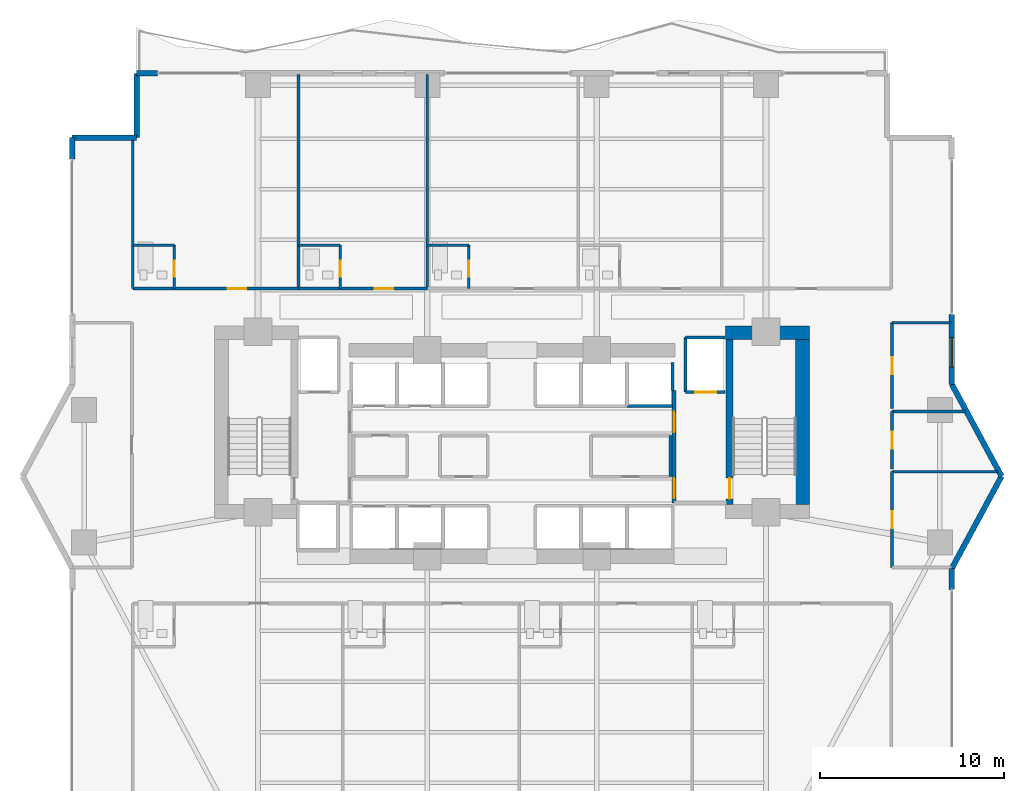
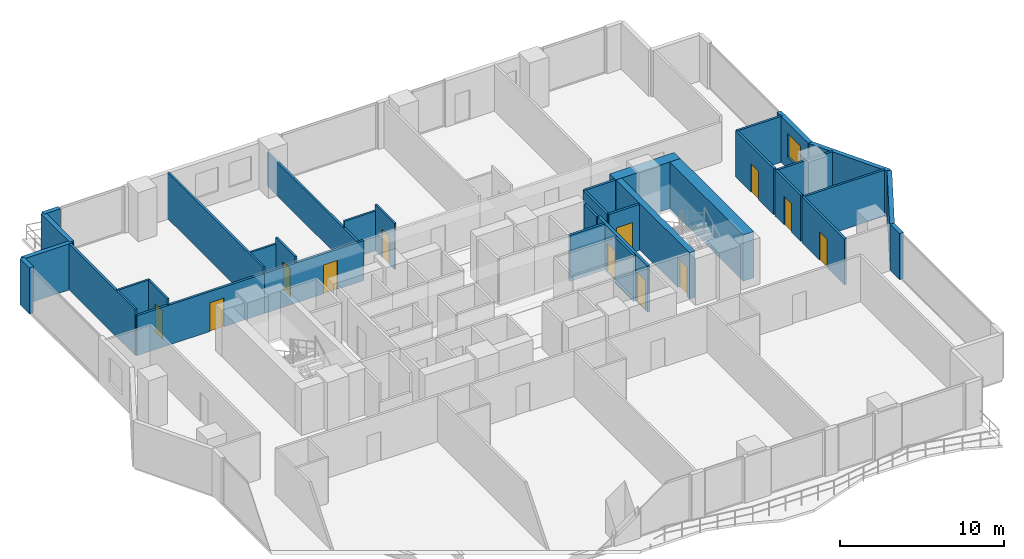
# One storey, part 22 of 27: 35 walls, 12 doors, 1 window, 13 openings.
"""IFC4 building model written with IfcOpenShell, lengths in metres."""

from ifc_helpers import new_model, si_unit, direction, frame, frame_2d, origin, place, context, subcontext, project, spatial, rectangle, extrude, material, layer, layer_set, type_object, element, fill, save


model = new_model("IFC4")

# Units and contexts
model_context = context("Model", 3, precision=1e-05, world=origin(), true_north=direction((0.0, 1.0)))
body_context = subcontext(model_context, "Body", "Model", "MODEL_VIEW")
ifc_project = project(units=[si_unit("LENGTHUNIT", "METRE"), si_unit("AREAUNIT", "SQUARE_METRE"), si_unit("VOLUMEUNIT", "CUBIC_METRE"), si_unit("PLANEANGLEUNIT", "RADIAN"), si_unit("MASSUNIT", "GRAM", prefix="KILO")], contexts=[model_context])

# Site, building, storey
site_placement = place(None, origin())
site = spatial("IfcSite", under=ifc_project, at=site_placement, CompositionType="ELEMENT")
building_placement = place(site_placement, origin())
building = spatial("IfcBuilding", under=site, at=building_placement, Name="Zuhayl Quay Hotel", CompositionType="ELEMENT")
storey_placement = place(building_placement, frame((0.0, 0.0, 117.550048828125)))
storey = spatial("IfcBuildingStorey", under=building, at=storey_placement, Name="L29", CompositionType="ELEMENT", Elevation=117.550048828125)

# Walls
ifc_material_1 = material(Name="Concrete C60/75", Category="concrete")
ifc_layer_1 = layer(ifc_material_1, 0.75, Name="Concrete C60/75", Category="concrete")
ifc_layer_set_1 = layer_set([ifc_layer_1], Name="Concrete C60/75")
wall_type_1 = type_object("IfcWallType", Name="WL_CORE_750", PredefinedType="SHEAR", material=ifc_layer_set_1)
wall_1_placement = place(storey_placement, frame((11.60009765625, 14.304931640625, 0.0), z_axis=(0.0, 0.0, 1.0), x_axis=(1.0, 0.0, 0.0)))
element("IfcWall", 1, at=wall_1_placement, inside=storey, type_object=wall_type_1, Name="L29 Core Shear Wall CW_NE", PredefinedType="SHEAR", context=body_context, shape_type="SweptSolid", body=[
    extrude(rectangle(XDim=4.559814453125, YDim=0.75, at=frame_2d((2.27978515625, 0.0))), origin(), (0.0, 0.0, 1.0), 3.4599609375),
])
wall_2_placement = place(storey_placement, frame((15.784912109375, 4.969970703125, 0.0), z_axis=(0.0, 0.0, 1.0), x_axis=(0.0, 1.0, 0.0)))
element("IfcWall", 2, at=wall_2_placement, inside=storey, type_object=wall_type_1, Name="L29 Core Shear Wall CW_E", PredefinedType="SHEAR", context=body_context, shape_type="SweptSolid", body=[
    extrude(rectangle(XDim=8.9599609375, YDim=0.75, at=frame_2d((4.47998046875, 0.0))), origin(), (0.0, 0.0, 1.0), 3.4599609375),
])
ifc_material_2 = material(Name="Precast concrete C45/55", Category="concrete")
ifc_layer_2 = layer(ifc_material_2, 0.300048828125, Name="Precast concrete C45/55", Category="concrete")
ifc_layer_set_2 = layer_set([ifc_layer_2], Name="Precast concrete C45/55")
wall_type_2 = type_object("IfcWallType", Name="WL_EXT_300", PredefinedType="STANDARD", material=ifc_layer_set_2)
wall_3_placement = place(storey_placement, frame((-23.89990234375, 23.75, 0.0), z_axis=(0.0, 0.0, 1.0), x_axis=(0.0, 1.0, 0.0)))
element("IfcWall", 3, at=wall_3_placement, inside=storey, type_object=wall_type_2, Name="L29 Exterior Precast Wall ENV_L29_E05_EW2", PredefinedType="STANDARD", context=body_context, shape_type="SweptSolid", body=[
    extrude(rectangle(XDim=1.14990234375, YDim=0.300048828125, at=frame_2d((0.574951171875, 0.0))), origin(), (0.0, 0.0, 1.0), 3.429931640625),
])
for number, where, z_axis, x_axis, name in (
    (4, (-23.89990234375, 24.89990234375, 0.0), (0.0, 0.0, 1.0), (1.0, 0.0, 0.0), "L29 Exterior Precast Wall ENV_L29_EW06"),
    (5, (-20.39990234375, 24.89990234375, 0.0), (0.0, 0.0, 1.0), (0.0, 1.0, 0.0), "L29 Exterior Precast Wall ENV_L29_EW07"),
):
    element("IfcWall", number, at=place(storey_placement, frame(where, z_axis=z_axis, x_axis=x_axis)), inside=storey, type_object=wall_type_2, Name=name, PredefinedType="STANDARD", context=body_context, shape_type="SweptSolid", body=[
        extrude(rectangle(XDim=3.5, YDim=0.300048828125, at=frame_2d((1.75, 0.0))), origin(), (0.0, 0.0, 1.0), 3.429931640625),
    ])
wall_4_placement = place(storey_placement, frame((-20.39990234375, 28.39990234375, 0.0), z_axis=(0.0, 0.0, 1.0), x_axis=(1.0, 0.0, 0.0)))
element("IfcWall", 6, at=wall_4_placement, inside=storey, type_object=wall_type_2, Name="L29 Exterior Precast Wall ENV_L29_N_EW1", PredefinedType="STANDARD", context=body_context, shape_type="SweptSolid", body=[
    extrude(rectangle(XDim=1.14990234375, YDim=0.300048828125, at=frame_2d((0.574951171875, 0.0))), origin(), (0.0, 0.0, 1.0), 3.429931640625),
])

# Wall, opening, window
wall_5_placement = place(storey_placement, frame((23.89990234375, 15.300048828125, 0.0), z_axis=(0.0, 0.0, 1.0), x_axis=(0.0, -1.0, 0.0)))
wall_5 = element("IfcWall", 7, at=wall_5_placement, inside=storey, type_object=wall_type_2, Name="L29 Exterior Precast Wall ENV_L29_E11_EW2", PredefinedType="STANDARD", context=body_context, shape_type="SweptSolid", body=[
    extrude(rectangle(XDim=3.800048828125, YDim=0.300048828125, at=frame_2d((1.89990234375, 0.0))), origin(), (0.0, 0.0, 1.0), 3.429931640625),
])
opening_1_placement = place(wall_5_placement, frame((1.264892578125, 0.0, 0.85009765625)))
opening_1 = element("IfcOpeningElement", 8, at=opening_1_placement, cuts=wall_5, Name="Opening W01", PredefinedType="OPENING", context=body_context, shape_type="SweptSolid", body=[
    extrude(rectangle(XDim=1.60009765625, YDim=1.800048828125, at=frame_2d((0.800048828125, 0.89990234375))), frame((0.0, 0.159912109375, 0.0), z_axis=(0.0, -1.0, 0.0), x_axis=(1.0, 0.0, 0.0)), (0.0, 0.0, 1.0), 0.320068359375),
])
ifc_material_3 = material(Name="Dark Ceramic-Fritted Solar Glass", Category="glass")
window_type = type_object("IfcWindowType", Name="WN_OPERABLE_1600", PartitioningType="DOUBLE_PANEL_VERTICAL", PredefinedType="WINDOW", material=ifc_material_3)
window_placement = place(opening_1_placement, origin())
window = element("IfcWindow", 9, at=window_placement, inside=storey, type_object=window_type, Name="L29 Operable Facade Window 2-1", OverallHeight=1.800048828125, OverallWidth=1.60009765625, PartitioningType="SINGLE_PANEL", PredefinedType="WINDOW", context=body_context, shape_type="SweptSolid", body=[
    extrude(rectangle(XDim=1.60009765625, YDim=1.800048828125, at=frame_2d((0.800048828125, 0.89990234375))), frame((0.0, 0.030029296875, 0.0), z_axis=(0.0, -1.0, 0.0), x_axis=(1.0, 0.0, 0.0)), (0.0, 0.0, 1.0), 0.06005859375),
])
fill(opening_1, window)

# Walls
for number, where, z_axis, x_axis, name in (
    (10, (23.89990234375, 11.5, 0.0), (0.0, 0.0, 1.0), (0.475175525499, -0.879891027325, 0.0), "L29 Exterior Precast Wall ENV_L29_EW12"),
    (11, (26.60009765625, 6.5, 0.0), (0.0, 0.0, 1.0), (-0.475175525499, -0.879891027325, 0.0), "L29 Exterior Precast Wall ENV_L29_EW13"),
):
    element("IfcWall", number, at=place(storey_placement, frame(where, z_axis=z_axis, x_axis=x_axis)), inside=storey, type_object=wall_type_2, Name=name, PredefinedType="STANDARD", context=body_context, shape_type="SweptSolid", body=[
        extrude(rectangle(XDim=5.6826171875, YDim=0.300048828125, at=frame_2d((2.84130859375, 0.0))), origin(), (0.0, 0.0, 1.0), 3.429931640625),
    ])
wall_6_placement = place(storey_placement, frame((23.89990234375, 1.5, 0.0), z_axis=(0.0, 0.0, 1.0), x_axis=(0.0, -1.0, 0.0)))
element("IfcWall", 12, at=wall_6_placement, inside=storey, type_object=wall_type_2, Name="L29 Exterior Precast Wall ENV_L29_E14_EW1", PredefinedType="STANDARD", context=body_context, shape_type="SweptSolid", body=[
    extrude(rectangle(XDim=1.14990234375, YDim=0.300048828125, at=frame_2d((0.574951171875, 0.0))), origin(), (0.0, 0.0, 1.0), 3.429931640625),
])
ifc_material_4 = material(Name="Acoustic Gypsum Partition STC-58")
ifc_layer_3 = layer(ifc_material_4, 0.14990234375, Name="Acoustic Gypsum Partition STC-58")
ifc_layer_set_3 = layer_set([ifc_layer_3], Name="Acoustic Gypsum Partition STC-58")
wall_type_3 = type_object("IfcWallType", Name="WL_PART_150", PredefinedType="PARTITIONING", material=ifc_layer_set_3)
wall_7_placement = place(storey_placement, frame((8.610107421875, 6.47998046875, 0.0), z_axis=(0.0, 0.0, 1.0), x_axis=(0.0, 1.0, 0.0)))
element("IfcWall", 13, at=wall_7_placement, inside=storey, type_object=wall_type_3, Name="L29 Partition IW_L29_CORE_VL_E", PredefinedType="PARTITIONING", context=body_context, shape_type="SweptSolid", body=[
    extrude(rectangle(XDim=2.239990234375, YDim=0.14990234375, at=frame_2d((1.1201171875, 0.0))), origin(), (0.0, 0.0, 1.0), 3.429931640625),
])
wall_8_placement = place(storey_placement, frame((-20.60009765625, 16.699951171875, 0.0), z_axis=(0.0, 0.0, 1.0), x_axis=(0.0, 1.0, 0.0)))
element("IfcWall", 14, at=wall_8_placement, inside=storey, type_object=wall_type_3, Name="L29 Partition IW_L29_NU01_W", PredefinedType="PARTITIONING", context=body_context, shape_type="SweptSolid", body=[
    extrude(rectangle(XDim=8.199951171875, YDim=0.14990234375, at=frame_2d((4.10009765625, 0.0))), origin(), (0.0, 0.0, 1.0), 3.429931640625),
])
wall_9_placement = place(storey_placement, frame((-11.60009765625, 16.699951171875, 0.0), z_axis=(0.0, 0.0, 1.0), x_axis=(0.0, 1.0, 0.0)))
element("IfcWall", 15, at=wall_9_placement, inside=storey, type_object=wall_type_3, Name="L29 Partition IW_L29_NU01_E", PredefinedType="PARTITIONING", context=body_context, shape_type="SweptSolid", body=[
    extrude(rectangle(XDim=11.6201171875, YDim=0.14990234375, at=frame_2d((5.81005859375, 0.0))), origin(), (0.0, 0.0, 1.0), 3.429931640625),
])
wall_10_placement = place(storey_placement, frame((-4.60009765625, 16.699951171875, 0.0), z_axis=(0.0, 0.0, 1.0), x_axis=(0.0, 1.0, 0.0)))
element("IfcWall", 16, at=wall_10_placement, inside=storey, type_object=wall_type_3, Name="L29 Partition IW_L29_NU02_E", PredefinedType="PARTITIONING", context=body_context, shape_type="SweptSolid", body=[
    extrude(rectangle(XDim=11.6201171875, YDim=0.14990234375, at=frame_2d((5.81005859375, 0.0))), origin(), (0.0, 0.0, 1.0), 2.5029296875),
])
wall_11_placement = place(storey_placement, frame((20.64990234375, 6.75, 0.0), z_axis=(0.0, 0.0, 1.0), x_axis=(1.0, 0.0, 0.0)))
element("IfcWall", 17, at=wall_11_placement, inside=storey, type_object=wall_type_3, Name="L29 Partition IW_L29_HK_MAIN_N", PredefinedType="PARTITIONING", context=body_context, shape_type="SweptSolid", body=[
    extrude(rectangle(XDim=5.755126953125, YDim=0.14990234375, at=frame_2d((2.87744140625, 0.0))), origin(), (0.0, 0.0, 1.0), 3.429931640625),
])
wall_12_placement = place(storey_placement, frame((20.64990234375, 10.02001953125, 0.0), z_axis=(0.0, 0.0, 1.0), x_axis=(1.0, 0.0, 0.0)))
element("IfcWall", 18, at=wall_12_placement, inside=storey, type_object=wall_type_3, Name="L29 Partition IW_L29_EFLK_2_N", PredefinedType="PARTITIONING", context=body_context, shape_type="SweptSolid", body=[
    extrude(rectangle(XDim=3.9892578125, YDim=0.14990234375, at=frame_2d((1.99462890625, 0.0))), origin(), (0.0, 0.0, 1.0), 3.429931640625),
])
wall_13_placement = place(storey_placement, frame((20.64990234375, 14.85009765625, 0.0), z_axis=(0.0, 0.0, 1.0), x_axis=(1.0, 0.0, 0.0)))
element("IfcWall", 19, at=wall_13_placement, inside=storey, type_object=wall_type_3, Name="L29 Partition IW_L29_EFLK_3_N", PredefinedType="PARTITIONING", context=body_context, shape_type="SweptSolid", body=[
    extrude(rectangle(XDim=3.190185546875, YDim=0.14990234375, at=frame_2d((1.59521484375, 0.0))), origin(), (0.0, 0.0, 1.0), 3.429931640625),
])

# Wall, opening, door
ifc_layer_4 = layer(ifc_material_4, 0.159912109375, Name="Acoustic Gypsum Partition STC-58")
ifc_layer_set_4 = layer_set([ifc_layer_4], Name="Acoustic Gypsum Partition STC-58")
wall_type_4 = type_object("IfcWallType", Name="WL_PART_CORR_160", PredefinedType="PARTITIONING", material=ifc_layer_set_4)
wall_14_placement = place(storey_placement, frame((-20.60009765625, 16.699951171875, 0.0), z_axis=(0.0, 0.0, 1.0), x_axis=(1.0, 0.0, 0.0)))
wall_14 = element("IfcWall", 20, at=wall_14_placement, inside=storey, type_object=wall_type_4, Name="L29 Partition IW_L29_NU01_COR", PredefinedType="PARTITIONING", context=body_context, shape_type="SweptSolid", body=[
    extrude(rectangle(XDim=9.0, YDim=0.159912109375, at=frame_2d((4.5, 0.0))), origin(), (0.0, 0.0, 1.0), 2.972900390625),
])
opening_2_placement = place(wall_14_placement, frame((5.14990234375, 0.0, 0.0)))
opening_2 = element("IfcOpeningElement", 21, at=opening_2_placement, cuts=wall_14, Name="Opening D03L", PredefinedType="OPENING", context=body_context, shape_type="SweptSolid", body=[
    extrude(rectangle(XDim=1.0, YDim=2.14990234375, at=frame_2d((0.5, 1.074951171875))), frame((0.0, 0.08984375, 0.0), z_axis=(0.0, -1.0, 0.0), x_axis=(1.0, 0.0, 0.0)), (0.0, 0.0, 1.0), 0.179931640625),
])
ifc_material_5 = material(Name="Solid Walnut Acoustic Fire Door")
door_type_1 = type_object("IfcDoorType", Name="DR_SUITE_1000", OperationType="NOTDEFINED", PredefinedType="DOOR", material=ifc_material_5)
door_1_placement = place(opening_2_placement, origin())
door_1 = element("IfcDoor", 22, at=door_1_placement, inside=storey, type_object=door_type_1, Name="L29 Executive Suite L29-01 Entrance Door", OperationType="SINGLE_SWING_LEFT", OverallHeight=2.14990234375, OverallWidth=1.0, PredefinedType="DOOR", context=body_context, shape_type="SweptSolid", body=[
    extrude(rectangle(XDim=1.0, YDim=2.14990234375, at=frame_2d((0.5, 1.074951171875))), frame((0.0, 0.02490234375, 0.0), z_axis=(0.0, -1.0, 0.0), x_axis=(1.0, 0.0, 0.0)), (0.0, 0.0, 1.0), 0.050048828125),
])
fill(opening_2, door_1)

wall_15_placement = place(storey_placement, frame((-11.60009765625, 16.699951171875, 0.0), z_axis=(0.0, 0.0, 1.0), x_axis=(1.0, 0.0, 0.0)))
wall_15 = element("IfcWall", 23, at=wall_15_placement, inside=storey, type_object=wall_type_4, Name="L29 Partition IW_L29_NU02_COR", PredefinedType="PARTITIONING", context=body_context, shape_type="SweptSolid", body=[
    extrude(rectangle(XDim=7.0, YDim=0.159912109375, at=frame_2d((3.5, 0.0))), origin(), (0.0, 0.0, 1.0), 2.972900390625),
])
opening_3_placement = place(wall_15_placement, frame((4.14990234375, 0.0, 0.0)))
opening_3 = element("IfcOpeningElement", 24, at=opening_3_placement, cuts=wall_15, Name="Opening D03L", PredefinedType="OPENING", context=body_context, shape_type="SweptSolid", body=[
    extrude(rectangle(XDim=1.0, YDim=2.14990234375, at=frame_2d((0.5, 1.074951171875))), frame((0.0, 0.08984375, 0.0), z_axis=(0.0, -1.0, 0.0), x_axis=(1.0, 0.0, 0.0)), (0.0, 0.0, 1.0), 0.179931640625),
])
door_2_placement = place(opening_3_placement, origin())
door_2 = element("IfcDoor", 25, at=door_2_placement, inside=storey, type_object=door_type_1, Name="L29 Executive Suite L29-02 Entrance Door", OperationType="SINGLE_SWING_LEFT", OverallHeight=2.14990234375, OverallWidth=1.0, PredefinedType="DOOR", context=body_context, shape_type="SweptSolid", body=[
    extrude(rectangle(XDim=1.0, YDim=2.14990234375, at=frame_2d((0.5, 1.074951171875))), frame((0.0, 0.02490234375, 0.0), z_axis=(0.0, -1.0, 0.0), x_axis=(1.0, 0.0, 0.0)), (0.0, 0.0, 1.0), 0.050048828125),
])
fill(opening_3, door_2)

wall_16_placement = place(storey_placement, frame((20.64990234375, 1.550048828125, 0.0), z_axis=(0.0, 0.0, 1.0), x_axis=(0.0, 1.0, 0.0)))
wall_16 = element("IfcWall", 26, at=wall_16_placement, inside=storey, type_object=wall_type_4, Name="L29 Partition IW_L29_HK_MAIN_W", PredefinedType="PARTITIONING", context=body_context, shape_type="SweptSolid", body=[
    extrude(rectangle(XDim=5.199951171875, YDim=0.159912109375, at=frame_2d((2.60009765625, 0.0))), origin(), (0.0, 0.0, 1.0), 3.429931640625),
])
opening_4_placement = place(wall_16_placement, frame((2.139892578125, 0.0, 0.0)))
opening_4 = element("IfcOpeningElement", 27, at=opening_4_placement, cuts=wall_16, Name="Opening D05", PredefinedType="OPENING", context=body_context, shape_type="SweptSolid", body=[
    extrude(rectangle(XDim=0.919921875, YDim=2.1201171875, at=frame_2d((0.4599609375, 1.06005859375))), frame((0.0, 0.08984375, 0.0), z_axis=(0.0, -1.0, 0.0), x_axis=(1.0, 0.0, 0.0)), (0.0, 0.0, 1.0), 0.179931640625),
])
door_type_2 = type_object("IfcDoorType", Name="DR_INT_950", OperationType="NOTDEFINED", PredefinedType="DOOR", material=ifc_material_5)
door_3_placement = place(opening_4_placement, origin())
door_3 = element("IfcDoor", 28, at=door_3_placement, inside=storey, type_object=door_type_2, Name="L29 Housekeeping and Linen Room Door", OperationType="SINGLE_SWING_LEFT", OverallHeight=2.1201171875, OverallWidth=0.919921875, PredefinedType="DOOR", context=body_context, shape_type="SweptSolid", body=[
    extrude(rectangle(XDim=0.919921875, YDim=2.1201171875, at=frame_2d((0.4599609375, 1.06005859375))), frame((0.0, 0.02490234375, 0.0), z_axis=(0.0, -1.0, 0.0), x_axis=(1.0, 0.0, 0.0)), (0.0, 0.0, 1.0), 0.050048828125),
])
fill(opening_4, door_3)

wall_17_placement = place(storey_placement, frame((20.64990234375, 6.909912109375, 0.0), z_axis=(0.0, 0.0, 1.0), x_axis=(0.0, 1.0, 0.0)))
wall_17 = element("IfcWall", 29, at=wall_17_placement, inside=storey, type_object=wall_type_4, Name="L29 Partition IW_L29_EFLK_2_W", PredefinedType="PARTITIONING", context=body_context, shape_type="SweptSolid", body=[
    extrude(rectangle(XDim=3.110107421875, YDim=0.159912109375, at=frame_2d((1.55517578125, 0.0))), origin(), (0.0, 0.0, 1.0), 3.429931640625),
])
opening_5_placement = place(wall_17_placement, frame((1.094970703125, 0.0, 0.0)))
opening_5 = element("IfcOpeningElement", 30, at=opening_5_placement, cuts=wall_17, Name="Opening D05", PredefinedType="OPENING", context=body_context, shape_type="SweptSolid", body=[
    extrude(rectangle(XDim=0.919921875, YDim=2.1201171875, at=frame_2d((0.4599609375, 1.06005859375))), frame((0.0, 0.08984375, 0.0), z_axis=(0.0, -1.0, 0.0), x_axis=(1.0, 0.0, 0.0)), (0.0, 0.0, 1.0), 0.179931640625),
])
door_4_placement = place(opening_5_placement, origin())
door_4 = element("IfcDoor", 31, at=door_4_placement, inside=storey, type_object=door_type_2, Name="L29 Floor Beverage Pantry Door", OperationType="SINGLE_SWING_RIGHT", OverallHeight=2.1201171875, OverallWidth=0.919921875, PredefinedType="DOOR", context=body_context, shape_type="SweptSolid", body=[
    extrude(rectangle(XDim=0.919921875, YDim=2.1201171875, at=frame_2d((0.4599609375, 1.06005859375))), frame((0.0, 0.02490234375, 0.0), z_axis=(0.0, -1.0, 0.0), x_axis=(1.0, 0.0, 0.0)), (0.0, 0.0, 1.0), 0.050048828125),
])
fill(opening_5, door_4)

wall_18_placement = place(storey_placement, frame((20.64990234375, 10.179931640625, 0.0), z_axis=(0.0, 0.0, 1.0), x_axis=(0.0, 1.0, 0.0)))
wall_18 = element("IfcWall", 32, at=wall_18_placement, inside=storey, type_object=wall_type_4, Name="L29 Partition IW_L29_EFLK_3_W", PredefinedType="PARTITIONING", context=body_context, shape_type="SweptSolid", body=[
    extrude(rectangle(XDim=4.670166015625, YDim=0.159912109375, at=frame_2d((2.3349609375, 0.0))), origin(), (0.0, 0.0, 1.0), 3.429931640625),
])
opening_6_placement = place(wall_18_placement, frame((1.875, 0.0, 0.0)))
opening_6 = element("IfcOpeningElement", 33, at=opening_6_placement, cuts=wall_18, Name="Opening D05", PredefinedType="OPENING", context=body_context, shape_type="SweptSolid", body=[
    extrude(rectangle(XDim=0.919921875, YDim=2.1201171875, at=frame_2d((0.4599609375, 1.06005859375))), frame((0.0, 0.08984375, 0.0), z_axis=(0.0, -1.0, 0.0), x_axis=(1.0, 0.0, 0.0)), (0.0, 0.0, 1.0), 0.179931640625),
])
door_5_placement = place(opening_6_placement, origin())
door_5 = element("IfcDoor", 34, at=door_5_placement, inside=storey, type_object=door_type_2, Name="L29 East Prow Office L29 Door", OperationType="SINGLE_SWING_LEFT", OverallHeight=2.1201171875, OverallWidth=0.919921875, PredefinedType="DOOR", context=body_context, shape_type="SweptSolid", body=[
    extrude(rectangle(XDim=0.919921875, YDim=2.1201171875, at=frame_2d((0.4599609375, 1.06005859375))), frame((0.0, 0.02490234375, 0.0), z_axis=(0.0, -1.0, 0.0), x_axis=(1.0, 0.0, 0.0)), (0.0, 0.0, 1.0), 0.050048828125),
])
fill(opening_6, door_5)

ifc_material_6 = material(Name="Moisture-Resistant Sanitarychase Gypsum")
ifc_layer_5 = layer(ifc_material_6, 0.135009765625, Name="Moisture-Resistant Sanitarychase Gypsum")
ifc_layer_set_5 = layer_set([ifc_layer_5], Name="Moisture-Resistant Sanitarychase Gypsum")
wall_type_5 = type_object("IfcWallType", Name="WL_PART_PLUMB_150", PredefinedType="PLUMBINGWALL", material=ifc_layer_set_5)
wall_19_placement = place(storey_placement, frame((-18.340087890625, 16.699951171875, 0.0), z_axis=(0.0, 0.0, 1.0), x_axis=(0.0, 1.0, 0.0)))
wall_19 = element("IfcWall", 35, at=wall_19_placement, inside=storey, type_object=wall_type_5, Name="L29 Partition IW_L29_NU01_BE", PredefinedType="PLUMBINGWALL", context=body_context, shape_type="SweptSolid", body=[
    extrude(rectangle(XDim=2.360107421875, YDim=0.135009765625, at=frame_2d((1.18017578125, 0.0))), origin(), (0.0, 0.0, 1.0), 3.429931640625),
])
opening_7_placement = place(wall_19_placement, frame((0.64990234375, 0.0, 0.0)))
opening_7 = element("IfcOpeningElement", 36, at=opening_7_placement, cuts=wall_19, Name="Opening D04", PredefinedType="OPENING", context=body_context, shape_type="SweptSolid", body=[
    extrude(rectangle(XDim=0.85009765625, YDim=2.10009765625, at=frame_2d((0.425048828125, 1.050048828125))), frame((0.0, 0.077392578125, 0.0), z_axis=(0.0, -1.0, 0.0), x_axis=(1.0, 0.0, 0.0)), (0.0, 0.0, 1.0), 0.155029296875),
])
ifc_material_7 = material(Name="Moisture-Resistant Walnut Veneer")
door_type_3 = type_object("IfcDoorType", Name="DR_BATH_850", OperationType="NOTDEFINED", PredefinedType="DOOR", material=ifc_material_7)
door_6_placement = place(opening_7_placement, origin())
door_6 = element("IfcDoor", 37, at=door_6_placement, inside=storey, type_object=door_type_3, Name="L29 Executive Suite L29-01 En-Suite Door", OperationType="SINGLE_SWING_RIGHT", OverallHeight=2.10009765625, OverallWidth=0.85009765625, PredefinedType="DOOR", context=body_context, shape_type="SweptSolid", body=[
    extrude(rectangle(XDim=0.85009765625, YDim=2.10009765625, at=frame_2d((0.425048828125, 1.050048828125))), frame((0.0, 0.02490234375, 0.0), z_axis=(0.0, -1.0, 0.0), x_axis=(1.0, 0.0, 0.0)), (0.0, 0.0, 1.0), 0.050048828125),
])
fill(opening_7, door_6)

wall_20_placement = place(storey_placement, frame((-9.340087890625, 16.699951171875, 0.0), z_axis=(0.0, 0.0, 1.0), x_axis=(0.0, 1.0, 0.0)))
wall_20 = element("IfcWall", 38, at=wall_20_placement, inside=storey, type_object=wall_type_5, Name="L29 Partition IW_L29_NU02_BE", PredefinedType="PLUMBINGWALL", context=body_context, shape_type="SweptSolid", body=[
    extrude(rectangle(XDim=2.360107421875, YDim=0.135009765625, at=frame_2d((1.18017578125, 0.0))), origin(), (0.0, 0.0, 1.0), 3.429931640625),
])
opening_8_placement = place(wall_20_placement, frame((0.64990234375, 0.0, 0.0)))
opening_8 = element("IfcOpeningElement", 39, at=opening_8_placement, cuts=wall_20, Name="Opening D04", PredefinedType="OPENING", context=body_context, shape_type="SweptSolid", body=[
    extrude(rectangle(XDim=0.85009765625, YDim=2.10009765625, at=frame_2d((0.425048828125, 1.050048828125))), frame((0.0, 0.077392578125, 0.0), z_axis=(0.0, -1.0, 0.0), x_axis=(1.0, 0.0, 0.0)), (0.0, 0.0, 1.0), 0.155029296875),
])
door_7_placement = place(opening_8_placement, origin())
door_7 = element("IfcDoor", 40, at=door_7_placement, inside=storey, type_object=door_type_3, Name="L29 Executive Suite L29-02 En-Suite Door", OperationType="SINGLE_SWING_RIGHT", OverallHeight=2.10009765625, OverallWidth=0.85009765625, PredefinedType="DOOR", context=body_context, shape_type="SweptSolid", body=[
    extrude(rectangle(XDim=0.85009765625, YDim=2.10009765625, at=frame_2d((0.425048828125, 1.050048828125))), frame((0.0, 0.02490234375, 0.0), z_axis=(0.0, -1.0, 0.0), x_axis=(1.0, 0.0, 0.0)), (0.0, 0.0, 1.0), 0.050048828125),
])
fill(opening_8, door_7)

wall_21_placement = place(storey_placement, frame((-2.340087890625, 16.699951171875, 0.0), z_axis=(0.0, 0.0, 1.0), x_axis=(0.0, 1.0, 0.0)))
wall_21 = element("IfcWall", 41, at=wall_21_placement, inside=storey, type_object=wall_type_5, Name="L29 Partition IW_L29_NU03_BE", PredefinedType="PLUMBINGWALL", context=body_context, shape_type="SweptSolid", body=[
    extrude(rectangle(XDim=2.360107421875, YDim=0.135009765625, at=frame_2d((1.18017578125, 0.0))), origin(), (0.0, 0.0, 1.0), 3.429931640625),
])
opening_9_placement = place(wall_21_placement, frame((0.64990234375, 0.0, 0.0)))
opening_9 = element("IfcOpeningElement", 42, at=opening_9_placement, cuts=wall_21, Name="Opening D04", PredefinedType="OPENING", context=body_context, shape_type="SweptSolid", body=[
    extrude(rectangle(XDim=0.85009765625, YDim=2.10009765625, at=frame_2d((0.425048828125, 1.050048828125))), frame((0.0, 0.077392578125, 0.0), z_axis=(0.0, -1.0, 0.0), x_axis=(1.0, 0.0, 0.0)), (0.0, 0.0, 1.0), 0.155029296875),
])
door_8_placement = place(opening_9_placement, origin())
door_8 = element("IfcDoor", 43, at=door_8_placement, inside=storey, type_object=door_type_3, Name="L29 Executive Suite L29-03 En-Suite Door", OperationType="SINGLE_SWING_RIGHT", OverallHeight=2.10009765625, OverallWidth=0.85009765625, PredefinedType="DOOR", context=body_context, shape_type="SweptSolid", body=[
    extrude(rectangle(XDim=0.85009765625, YDim=2.10009765625, at=frame_2d((0.425048828125, 1.050048828125))), frame((0.0, 0.02490234375, 0.0), z_axis=(0.0, -1.0, 0.0), x_axis=(1.0, 0.0, 0.0)), (0.0, 0.0, 1.0), 0.050048828125),
])
fill(opening_9, door_8)

# Walls
wall_22_placement = place(storey_placement, frame((-20.60009765625, 19.06005859375, 0.0), z_axis=(0.0, 0.0, 1.0), x_axis=(1.0, 0.0, 0.0)))
element("IfcWall", 44, at=wall_22_placement, inside=storey, type_object=wall_type_5, Name="L29 Partition IW_L29_NU01_BN", PredefinedType="PLUMBINGWALL", context=body_context, shape_type="SweptSolid", body=[
    extrude(rectangle(XDim=2.260009765625, YDim=0.135009765625, at=frame_2d((1.1298828125, 0.0))), origin(), (0.0, 0.0, 1.0), 3.429931640625),
])
for number, where, z_axis, x_axis, name in (
    (45, (-11.60009765625, 19.06005859375, 0.0), (0.0, 0.0, 1.0), (1.0, 0.0, 0.0), "L29 Partition IW_L29_NU02_BN"),
    (46, (-4.60009765625, 19.06005859375, 0.0), (0.0, 0.0, 1.0), (1.0, 0.0, 0.0), "L29 Partition IW_L29_NU03_BN"),
):
    element("IfcWall", number, at=place(storey_placement, frame(where, z_axis=z_axis, x_axis=x_axis)), inside=storey, type_object=wall_type_5, Name=name, PredefinedType="PLUMBINGWALL", context=body_context, shape_type="SweptSolid", body=[
        extrude(rectangle(XDim=2.260009765625, YDim=0.135009765625, at=frame_2d((1.1298828125, 0.0))), origin(), (0.0, 0.0, 1.0), 2.972900390625),
    ])

# Wall, opening, door
ifc_material_8 = material(Name="Gypsum Fireboard Assembly EI-90")
ifc_layer_6 = layer(ifc_material_8, 0.1650390625, Name="Gypsum Fireboard Assembly EI-90")
ifc_layer_set_6 = layer_set([ifc_layer_6], Name="Gypsum Fireboard Assembly EI-90")
wall_type_6 = type_object("IfcWallType", Name="WL_PART_SHAFT_160", PredefinedType="PARTITIONING", material=ifc_layer_set_6)
wall_23_placement = place(storey_placement, frame((9.419921875, 11.070068359375, 0.0), z_axis=(0.0, 0.0, 1.0), x_axis=(1.0, 0.0, 0.0)))
wall_23 = element("IfcWall", 47, at=wall_23_placement, inside=storey, type_object=wall_type_6, Name="L29 Partition IW_L29_SH_FL2_F", PredefinedType="PARTITIONING", context=body_context, shape_type="SweptSolid", body=[
    extrude(rectangle(XDim=2.16015625, YDim=0.1650390625, at=frame_2d((1.080078125, 0.0))), origin(), (0.0, 0.0, 1.0), 3.429931640625),
])
opening_10_placement = place(wall_23_placement, frame((0.530029296875, 0.0, 0.0)))
opening_10 = element("IfcOpeningElement", 48, at=opening_10_placement, cuts=wall_23, Name="Opening LD2", PredefinedType="OPENING", context=body_context, shape_type="SweptSolid", body=[
    extrude(rectangle(XDim=1.14990234375, YDim=2.25, at=frame_2d((0.574951171875, 1.125))), frame((0.0, 0.092529296875, 0.0), z_axis=(0.0, -1.0, 0.0), x_axis=(1.0, 0.0, 0.0)), (0.0, 0.0, 1.0), 0.18505859375),
])
ifc_material_9 = material(Name="Brushed Stainless Steel", Category="steel")
door_type_4 = type_object("IfcDoorType", Name="DR_LIFT_FF_1100", OperationType="SLIDING_TO_LEFT", PredefinedType="DOOR", material=ifc_material_9)
door_9_placement = place(opening_10_placement, origin())
door_9 = element("IfcDoor", 49, at=door_9_placement, inside=storey, type_object=door_type_4, Name="L29 Lift FL2 Sliding Landing Door", OperationType="SLIDING_TO_LEFT", OverallHeight=2.25, OverallWidth=1.14990234375, PredefinedType="DOOR", context=body_context, shape_type="SweptSolid", body=[
    extrude(rectangle(XDim=1.14990234375, YDim=2.25, at=frame_2d((0.574951171875, 1.125))), frame((0.0, 0.02490234375, 0.0), z_axis=(0.0, -1.0, 0.0), x_axis=(1.0, 0.0, 0.0)), (0.0, 0.0, 1.0), 0.050048828125),
])
fill(opening_10, door_9)

# Walls
wall_24_placement = place(storey_placement, frame((9.419921875, 11.070068359375, 0.0), z_axis=(0.0, 0.0, 1.0), x_axis=(0.0, 1.0, 0.0)))
element("IfcWall", 50, at=wall_24_placement, inside=storey, type_object=wall_type_6, Name="L29 Partition IW_L29_SH_FL2_W", PredefinedType="PARTITIONING", context=body_context, shape_type="SweptSolid", body=[
    extrude(rectangle(XDim=2.9599609375, YDim=0.1650390625, at=frame_2d((1.47998046875, 0.0))), origin(), (0.0, 0.0, 1.0), 3.429931640625),
])
wall_25_placement = place(storey_placement, frame((9.419921875, 14.030029296875, 0.0), z_axis=(0.0, 0.0, 1.0), x_axis=(1.0, 0.0, 0.0)))
element("IfcWall", 51, at=wall_25_placement, inside=storey, type_object=wall_type_6, Name="L29 Partition IW_L29_SH_FL2_B", PredefinedType="PARTITIONING", context=body_context, shape_type="SweptSolid", body=[
    extrude(rectangle(XDim=2.16015625, YDim=0.1650390625, at=frame_2d((1.080078125, 0.0))), origin(), (0.0, 0.0, 1.0), 3.429931640625),
])
wall_26_placement = place(storey_placement, frame((6.25, 10.320068359375, 0.0), z_axis=(0.0, 0.0, 1.0), x_axis=(1.0, 0.0, 0.0)))
element("IfcWall", 52, at=wall_26_placement, inside=storey, type_object=wall_type_6, Name="L29 Partition IW_L29_SH_HP4_F", PredefinedType="PARTITIONING", context=body_context, shape_type="SweptSolid", body=[
    extrude(rectangle(XDim=2.47998046875, YDim=0.1650390625, at=frame_2d((1.239990234375, 0.0))), origin(), (0.0, 0.0, 1.0), 3.429931640625),
])
wall_27_placement = place(storey_placement, frame((8.72998046875, 11.14990234375, 0.0), z_axis=(0.0, 0.0, 1.0), x_axis=(0.0, 1.0, 0.0)))
element("IfcWall", 53, at=wall_27_placement, inside=storey, type_object=wall_type_6, Name="L29 Partition IW_L29_SH_HP4_E", PredefinedType="PARTITIONING", context=body_context, shape_type="SweptSolid", body=[
    extrude(rectangle(XDim=1.530029296875, YDim=0.1650390625, at=frame_2d((0.76513671875, 0.0))), origin(), (0.0, 0.0, 1.0), 3.429931640625),
])

# Wall, openings, doors
ifc_material_10 = material(Name="Gypsum Fireboard Assembly EI-120")
ifc_layer_7 = layer(ifc_material_10, 0.199951171875, Name="Gypsum Fireboard Assembly EI-120")
ifc_layer_set_7 = layer_set([ifc_layer_7], Name="Gypsum Fireboard Assembly EI-120")
wall_type_7 = type_object("IfcWallType", Name="WL_PART_SHAFT_200", PredefinedType="PARTITIONING", material=ifc_layer_set_7)
wall_28_placement = place(storey_placement, frame((8.800048828125, 11.14990234375, 0.0), z_axis=(0.0, 0.0, 1.0), x_axis=(0.0, -1.0, 0.0)))
wall_28 = element("IfcWall", 54, at=wall_28_placement, inside=storey, type_object=wall_type_7, Name="L29 Partition IW_L29_FSAE_E_W", PredefinedType="PARTITIONING", context=body_context, shape_type="SweptSolid", body=[
    extrude(rectangle(XDim=6.099853515625, YDim=0.199951171875, at=frame_2d((3.0498046875, 0.0))), origin(), (0.0, 0.0, 1.0), 3.429931640625),
])
opening_11_placement = place(wall_28_placement, frame((1.14990234375, 0.0, 0.0)))
opening_11 = element("IfcOpeningElement", 55, at=opening_11_placement, cuts=wall_28, Name="Opening D02", PredefinedType="OPENING", context=body_context, shape_type="SweptSolid", body=[
    extrude(rectangle(XDim=1.10009765625, YDim=2.199951171875, at=frame_2d((0.550048828125, 1.10009765625))), frame((0.0, 0.10986328125, 0.0), z_axis=(0.0, -1.0, 0.0), x_axis=(1.0, 0.0, 0.0)), (0.0, 0.0, 1.0), 0.219970703125),
])
opening_12_placement = place(wall_28_placement, frame((4.75, 0.0, 0.0)))
opening_12 = element("IfcOpeningElement", 56, at=opening_12_placement, cuts=wall_28, Name="Opening D02", PredefinedType="OPENING", context=body_context, shape_type="SweptSolid", body=[
    extrude(rectangle(XDim=1.10009765625, YDim=2.199951171875, at=frame_2d((0.550048828125, 1.10009765625))), frame((0.0, 0.10986328125, 0.0), z_axis=(0.0, -1.0, 0.0), x_axis=(1.0, 0.0, 0.0)), (0.0, 0.0, 1.0), 0.219970703125),
])
ifc_material_11 = material(Name="Steel ASTM A992 Grade 50", Category="steel")
door_type_5 = type_object("IfcDoorType", Name="DR_FIRE_90_1100", OperationType="NOTDEFINED", PredefinedType="DOOR", material=ifc_material_11)
door_10_placement = place(opening_11_placement, origin())
door_10 = element("IfcDoor", 57, at=door_10_placement, inside=storey, type_object=door_type_5, Name="L29 FSAE Lobby East North Entry Door", OperationType="SINGLE_SWING_LEFT", OverallHeight=2.199951171875, OverallWidth=1.10009765625, PredefinedType="DOOR", context=body_context, shape_type="SweptSolid", body=[
    extrude(rectangle(XDim=1.10009765625, YDim=2.199951171875, at=frame_2d((0.550048828125, 1.10009765625))), frame((0.0, 0.02490234375, 0.0), z_axis=(0.0, -1.0, 0.0), x_axis=(1.0, 0.0, 0.0)), (0.0, 0.0, 1.0), 0.050048828125),
])
fill(opening_11, door_10)
door_11_placement = place(opening_12_placement, origin())
door_11 = element("IfcDoor", 58, at=door_11_placement, inside=storey, type_object=door_type_5, Name="L29 FSAE Lobby East South Entry Door", OperationType="SINGLE_SWING_RIGHT", OverallHeight=2.199951171875, OverallWidth=1.10009765625, PredefinedType="DOOR", context=body_context, shape_type="SweptSolid", body=[
    extrude(rectangle(XDim=1.10009765625, YDim=2.199951171875, at=frame_2d((0.550048828125, 1.10009765625))), frame((0.0, 0.02490234375, 0.0), z_axis=(0.0, -1.0, 0.0), x_axis=(1.0, 0.0, 0.0)), (0.0, 0.0, 1.0), 0.050048828125),
])
fill(opening_12, door_11)

# Wall, opening, door
ifc_layer_8 = layer(ifc_material_1, 0.39990234375, Name="Concrete C60/75", Category="concrete")
ifc_layer_set_8 = layer_set([ifc_layer_8], Name="Concrete C60/75")
wall_type_8 = type_object("IfcWallType", Name="WL_STAIR_400", PredefinedType="SHEAR", material=ifc_layer_set_8)
wall_29_placement = place(storey_placement, frame((11.820068359375, 13.929931640625, 0.0), z_axis=(0.0, 0.0, 1.0), x_axis=(0.0, -1.0, 0.0)))
wall_29 = element("IfcWall", 59, at=wall_29_placement, inside=storey, type_object=wall_type_8, Name="L29 Core Shear Wall SW_ST2", PredefinedType="SHEAR", context=body_context, shape_type="SweptSolid", body=[
    extrude(rectangle(XDim=8.9599609375, YDim=0.39990234375, at=frame_2d((4.47998046875, 0.0))), origin(), (0.0, 0.0, 1.0), 3.4599609375),
])
opening_13_placement = place(wall_29_placement, frame((7.530029296875, 0.0, 0.0)))
opening_13 = element("IfcOpeningElement", 60, at=opening_13_placement, cuts=wall_29, Name="Opening D01", PredefinedType="OPENING", context=body_context, shape_type="SweptSolid", body=[
    extrude(rectangle(XDim=1.1201171875, YDim=2.219970703125, at=frame_2d((0.56005859375, 1.10986328125))), frame((0.0, 0.2099609375, 0.0), z_axis=(0.0, -1.0, 0.0), x_axis=(1.0, 0.0, 0.0)), (0.0, 0.0, 1.0), 0.419921875),
])
door_type_6 = type_object("IfcDoorType", Name="DR_STAIR_90_1100", OperationType="NOTDEFINED", PredefinedType="DOOR", material=ifc_material_11)
door_12_placement = place(opening_13_placement, origin())
door_12 = element("IfcDoor", 61, at=door_12_placement, inside=storey, type_object=door_type_6, Name="L29 Smokeproof Exit Stair ST2 Door", OperationType="SINGLE_SWING_RIGHT", OverallHeight=2.219970703125, OverallWidth=1.1201171875, PredefinedType="DOOR", context=body_context, shape_type="SweptSolid", body=[
    extrude(rectangle(XDim=1.1201171875, YDim=2.219970703125, at=frame_2d((0.56005859375, 1.10986328125))), frame((0.0, 0.02490234375, 0.0), z_axis=(0.0, -1.0, 0.0), x_axis=(1.0, 0.0, 0.0)), (0.0, 0.0, 1.0), 0.050048828125),
])
fill(opening_13, door_12)

save(model, "model.ifc")
